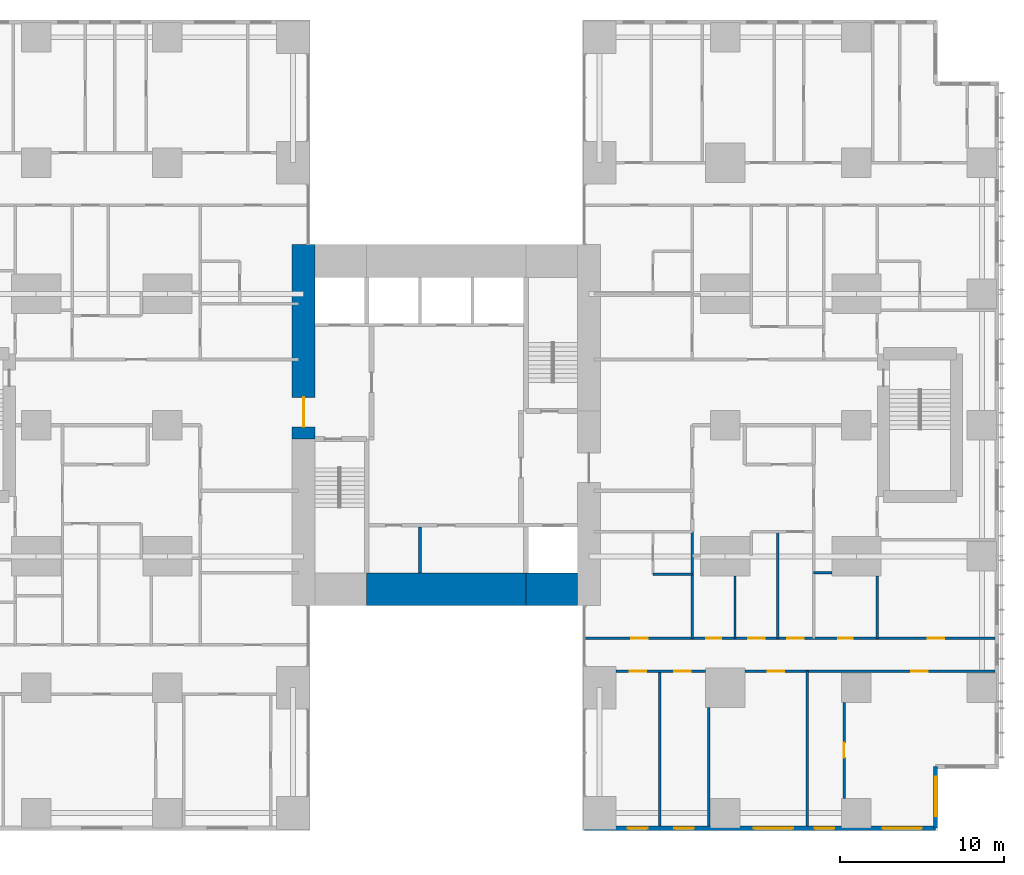
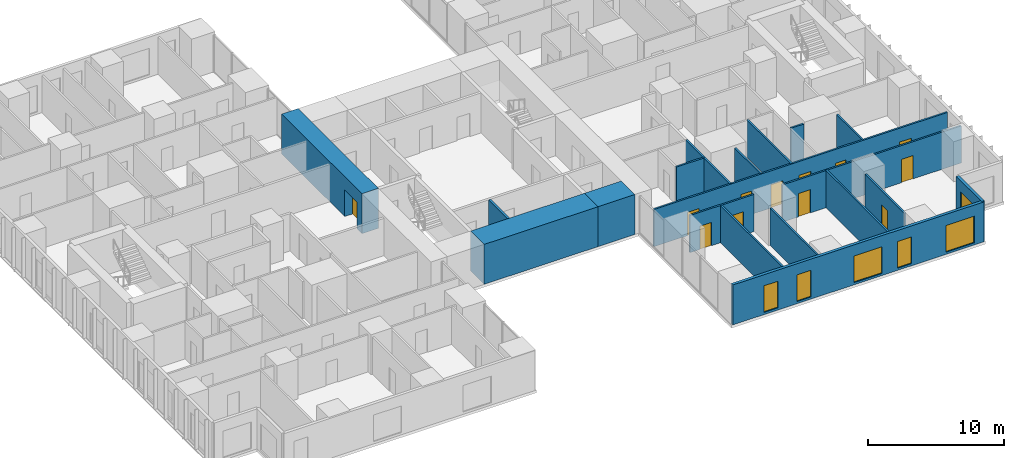
# One storey, part 14 of 20: 19 walls, 12 doors, 6 windows, 18 openings.
"""IFC4 building model written with IfcOpenShell, lengths in metres."""

from ifc_helpers import new_model, si_unit, direction, frame, frame_2d, origin, place, context, subcontext, project, spatial, rectangle, extrude, material, layer, layer_set, type_object, element, fill, save


model = new_model("IFC4")

# Units and contexts
model_context = context("Model", 3, precision=1e-05, world=origin(), true_north=direction((0.0, 1.0)))
body_context = subcontext(model_context, "Body", "Model", "MODEL_VIEW")
ifc_project = project(units=[si_unit("LENGTHUNIT", "METRE"), si_unit("AREAUNIT", "SQUARE_METRE"), si_unit("VOLUMEUNIT", "CUBIC_METRE"), si_unit("PLANEANGLEUNIT", "RADIAN"), si_unit("MASSUNIT", "GRAM", prefix="KILO")], contexts=[model_context])

# Site, building, storey
site_placement = place(None, origin())
site = spatial("IfcSite", under=ifc_project, at=site_placement, CompositionType="ELEMENT")
building_placement = place(site_placement, origin())
building = spatial("IfcBuilding", under=site, at=building_placement, Name="Cleftline Residences", CompositionType="ELEMENT")
storey_placement = place(building_placement, frame((0.0, 0.0, 214.60009765625)))
storey = spatial("IfcBuildingStorey", under=building, at=storey_placement, Name="L56", CompositionType="ELEMENT", Elevation=214.60009765625)

# Wall, opening, door
ifc_material_1 = material(Name="Concrete B70", Category="concrete")
ifc_layer_1 = layer(ifc_material_1, 1.39990234375)
ifc_layer_set_1 = layer_set([ifc_layer_1], Name="CORE WALL 1400")
wall_type_1 = type_object("IfcWallType", Name="CORE WALL 1400", PredefinedType="SHEAR", material=ifc_layer_set_1)
wall_1_placement = place(storey_placement, frame((24.300048828125, 23.14990234375, 0.0), z_axis=(0.0, 0.0, 1.0), x_axis=(0.0, 1.0, 0.0)))
wall_1 = element("IfcWall", 1, at=wall_1_placement, inside=storey, type_object=wall_type_1, Name="Core wall W", PredefinedType="SHEAR", context=body_context, shape_type="SweptSolid", body=[
    extrude(rectangle(XDim=11.85009765625, YDim=1.39990234375, at=frame_2d((5.925048828125, 0.0))), origin(), (0.0, 0.0, 1.0), 3.599853515625),
])
opening_1_placement = place(wall_1_placement, frame((0.75, 0.0, 0.0)))
opening_1 = element("IfcOpeningElement", 2, at=opening_1_placement, cuts=wall_1, Name="Opening D7", PredefinedType="OPENING", context=body_context, shape_type="SweptSolid", body=[
    extrude(rectangle(XDim=1.800048828125, YDim=2.39990234375, at=frame_2d((0.89990234375, 1.199951171875))), frame((0.0, 0.7099609375, 0.0), z_axis=(0.0, -1.0, 0.0), x_axis=(1.0, 0.0, 0.0)), (0.0, 0.0, 1.0), 1.419921875),
])
ifc_material_2 = material(Name="Steel", Category="steel")
door_type_1 = type_object("IfcDoorType", Name="WING DOOR 1800X2400", OperationType="DOUBLE_DOOR_DOUBLE_SWING", PredefinedType="DOOR", material=ifc_material_2)
door_1_placement = place(opening_1_placement, origin())
door_1 = element("IfcDoor", 3, at=door_1_placement, inside=storey, type_object=door_type_1, Name="West wing door", OperationType="DOUBLE_DOOR_DOUBLE_SWING", OverallHeight=2.39990234375, OverallWidth=1.800048828125, PredefinedType="DOOR", context=body_context, shape_type="SweptSolid", body=[
    extrude(rectangle(XDim=1.800048828125, YDim=2.39990234375, at=frame_2d((0.89990234375, 1.199951171875))), frame((0.0, 0.02490234375, 0.0), z_axis=(0.0, -1.0, 0.0), x_axis=(1.0, 0.0, 0.0)), (0.0, 0.0, 1.0), 0.050048828125),
])
fill(opening_1, door_1)

# Walls
ifc_material_3 = material(Name="Concrete B70", Category="concrete")
ifc_layer_2 = layer(ifc_material_3, 2.0)
ifc_layer_set_2 = layer_set([ifc_layer_2], Name="CORE WALL 2000")
wall_type_2 = type_object("IfcWallType", Name="CORE WALL 2000", PredefinedType="SHEAR", material=ifc_layer_set_2)
wall_2_placement = place(storey_placement, frame((28.14990234375, 14.0, 0.0), z_axis=(0.0, 0.0, 1.0), x_axis=(1.0, 0.0, 0.0)))
element("IfcWall", 4, at=wall_2_placement, inside=storey, type_object=wall_type_2, Name="Core wall S2", PredefinedType="SHEAR", context=body_context, shape_type="SweptSolid", body=[
    extrude(rectangle(XDim=9.7001953125, YDim=2.0, at=frame_2d((4.85009765625, 0.0))), origin(), (0.0, 0.0, 1.0), 3.599853515625),
])
wall_3_placement = place(storey_placement, frame((37.85009765625, 14.0, 0.0), z_axis=(0.0, 0.0, 1.0), x_axis=(1.0, 0.0, 0.0)))
element("IfcWall", 5, at=wall_3_placement, inside=storey, type_object=wall_type_2, Name="Core wall S3", PredefinedType="SHEAR", context=body_context, shape_type="SweptSolid", body=[
    extrude(rectangle(XDim=3.14990234375, YDim=2.0, at=frame_2d((1.574951171875, 0.0))), origin(), (0.0, 0.0, 1.0), 3.599853515625),
])

# Wall, openings, windows
ifc_material_4 = material(Name="Rendered reinforced concrete blockwork", Category="masonry")
ifc_layer_3 = layer(ifc_material_4, 0.25)
ifc_layer_set_3 = layer_set([ifc_layer_3], Name="EXTERNAL WALL 250")
wall_type_3 = type_object("IfcWallType", Name="EXTERNAL WALL 250", PredefinedType="SOLIDWALL", material=ifc_layer_set_3)
wall_4_placement = place(storey_placement, frame((41.425048828125, -0.574951171875, 0.0), z_axis=(0.0, 0.0, 1.0), x_axis=(1.0, 0.0, 0.0)))
wall_4 = element("IfcWall", 6, at=wall_4_placement, inside=storey, type_object=wall_type_3, Name="External wall", PredefinedType="SOLIDWALL", context=body_context, shape_type="SweptSolid", body=[
    extrude(rectangle(XDim=21.39990234375, YDim=0.25, at=frame_2d((10.699951171875, 0.0))), origin(), (0.0, 0.0, 1.0), 3.599853515625),
])
opening_2_placement = place(wall_4_placement, frame((2.64990234375, 0.0, 0.199951171875)))
opening_2 = element("IfcOpeningElement", 7, at=opening_2_placement, cuts=wall_4, Name="Opening W13", PredefinedType="OPENING", context=body_context, shape_type="SweptSolid", body=[
    extrude(rectangle(XDim=1.199951171875, YDim=2.39990234375, at=frame_2d((0.60009765625, 1.199951171875))), frame((0.0, 0.135009765625, 0.0), z_axis=(0.0, -1.0, 0.0), x_axis=(1.0, 0.0, 0.0)), (0.0, 0.0, 1.0), 0.27001953125),
])
opening_3_placement = place(wall_4_placement, frame((5.47509765625, 0.0, 0.199951171875)))
opening_3 = element("IfcOpeningElement", 8, at=opening_3_placement, cuts=wall_4, Name="Opening W13", PredefinedType="OPENING", context=body_context, shape_type="SweptSolid", body=[
    extrude(rectangle(XDim=1.199951171875, YDim=2.39990234375, at=frame_2d((0.60009765625, 1.199951171875))), frame((0.0, 0.135009765625, 0.0), z_axis=(0.0, -1.0, 0.0), x_axis=(1.0, 0.0, 0.0)), (0.0, 0.0, 1.0), 0.27001953125),
])
opening_4_placement = place(wall_4_placement, frame((10.324951171875, 0.0, 0.199951171875)))
opening_4 = element("IfcOpeningElement", 9, at=opening_4_placement, cuts=wall_4, Name="Opening W9", PredefinedType="OPENING", context=body_context, shape_type="SweptSolid", body=[
    extrude(rectangle(XDim=2.39990234375, YDim=2.39990234375, at=frame_2d((1.199951171875, 1.199951171875))), frame((0.0, 0.135009765625, 0.0), z_axis=(0.0, -1.0, 0.0), x_axis=(1.0, 0.0, 0.0)), (0.0, 0.0, 1.0), 0.27001953125),
])
opening_5_placement = place(wall_4_placement, frame((14.02490234375, 0.0, 0.199951171875)))
opening_5 = element("IfcOpeningElement", 10, at=opening_5_placement, cuts=wall_4, Name="Opening W13", PredefinedType="OPENING", context=body_context, shape_type="SweptSolid", body=[
    extrude(rectangle(XDim=1.199951171875, YDim=2.39990234375, at=frame_2d((0.60009765625, 1.199951171875))), frame((0.0, 0.135009765625, 0.0), z_axis=(0.0, -1.0, 0.0), x_axis=(1.0, 0.0, 0.0)), (0.0, 0.0, 1.0), 0.27001953125),
])
opening_6_placement = place(wall_4_placement, frame((18.175048828125, 0.0, 0.199951171875)))
opening_6 = element("IfcOpeningElement", 11, at=opening_6_placement, cuts=wall_4, Name="Opening W9", PredefinedType="OPENING", context=body_context, shape_type="SweptSolid", body=[
    extrude(rectangle(XDim=2.39990234375, YDim=2.39990234375, at=frame_2d((1.199951171875, 1.199951171875))), frame((0.0, 0.135009765625, 0.0), z_axis=(0.0, -1.0, 0.0), x_axis=(1.0, 0.0, 0.0)), (0.0, 0.0, 1.0), 0.27001953125),
])
ifc_material_5 = material(Name="Aluminium frame, clear double glazing", Category="aluminium")
window_type_1 = type_object("IfcWindowType", Name="WINDOW 1200X2400", PartitioningType="DOUBLE_PANEL_VERTICAL", PredefinedType="WINDOW", material=ifc_material_5)
window_1_placement = place(opening_2_placement, origin())
window_1 = element("IfcWindow", 12, at=window_1_placement, inside=storey, type_object=window_type_1, Name="Window", OverallHeight=2.39990234375, OverallWidth=1.199951171875, PartitioningType="SINGLE_PANEL", PredefinedType="WINDOW", context=body_context, shape_type="SweptSolid", body=[
    extrude(rectangle(XDim=1.199951171875, YDim=2.39990234375, at=frame_2d((0.60009765625, 1.199951171875))), frame((0.0, 0.030029296875, 0.0), z_axis=(0.0, -1.0, 0.0), x_axis=(1.0, 0.0, 0.0)), (0.0, 0.0, 1.0), 0.06005859375),
])
fill(opening_2, window_1)
window_2_placement = place(opening_3_placement, origin())
window_2 = element("IfcWindow", 13, at=window_2_placement, inside=storey, type_object=window_type_1, Name="Window", OverallHeight=2.39990234375, OverallWidth=1.199951171875, PartitioningType="SINGLE_PANEL", PredefinedType="WINDOW", context=body_context, shape_type="SweptSolid", body=[
    extrude(rectangle(XDim=1.199951171875, YDim=2.39990234375, at=frame_2d((0.60009765625, 1.199951171875))), frame((0.0, 0.030029296875, 0.0), z_axis=(0.0, -1.0, 0.0), x_axis=(1.0, 0.0, 0.0)), (0.0, 0.0, 1.0), 0.06005859375),
])
fill(opening_3, window_2)
window_3_placement = place(opening_5_placement, origin())
window_3 = element("IfcWindow", 14, at=window_3_placement, inside=storey, type_object=window_type_1, Name="Window", OverallHeight=2.39990234375, OverallWidth=1.199951171875, PartitioningType="SINGLE_PANEL", PredefinedType="WINDOW", context=body_context, shape_type="SweptSolid", body=[
    extrude(rectangle(XDim=1.199951171875, YDim=2.39990234375, at=frame_2d((0.60009765625, 1.199951171875))), frame((0.0, 0.030029296875, 0.0), z_axis=(0.0, -1.0, 0.0), x_axis=(1.0, 0.0, 0.0)), (0.0, 0.0, 1.0), 0.06005859375),
])
fill(opening_5, window_3)
ifc_material_6 = material(Name="Aluminium frame, clear double glazing", Category="aluminium")
window_type_2 = type_object("IfcWindowType", Name="WINDOW 2400X2400", PartitioningType="DOUBLE_PANEL_VERTICAL", PredefinedType="WINDOW", material=ifc_material_6)
window_4_placement = place(opening_4_placement, origin())
window_4 = element("IfcWindow", 15, at=window_4_placement, inside=storey, type_object=window_type_2, Name="Window", OverallHeight=2.39990234375, OverallWidth=2.39990234375, PartitioningType="SINGLE_PANEL", PredefinedType="WINDOW", context=body_context, shape_type="SweptSolid", body=[
    extrude(rectangle(XDim=2.39990234375, YDim=2.39990234375, at=frame_2d((1.199951171875, 1.199951171875))), frame((0.0, 0.030029296875, 0.0), z_axis=(0.0, -1.0, 0.0), x_axis=(1.0, 0.0, 0.0)), (0.0, 0.0, 1.0), 0.06005859375),
])
fill(opening_4, window_4)
window_5_placement = place(opening_6_placement, origin())
window_5 = element("IfcWindow", 16, at=window_5_placement, inside=storey, type_object=window_type_2, Name="Window", OverallHeight=2.39990234375, OverallWidth=2.39990234375, PartitioningType="SINGLE_PANEL", PredefinedType="WINDOW", context=body_context, shape_type="SweptSolid", body=[
    extrude(rectangle(XDim=2.39990234375, YDim=2.39990234375, at=frame_2d((1.199951171875, 1.199951171875))), frame((0.0, 0.030029296875, 0.0), z_axis=(0.0, -1.0, 0.0), x_axis=(1.0, 0.0, 0.0)), (0.0, 0.0, 1.0), 0.06005859375),
])
fill(opening_6, window_5)

# Wall, opening, window
wall_5_placement = place(storey_placement, frame((62.824951171875, -0.574951171875, 0.0), z_axis=(0.0, 0.0, 1.0), x_axis=(0.0, 1.0, 0.0)))
wall_5 = element("IfcWall", 17, at=wall_5_placement, inside=storey, type_object=wall_type_3, Name="External wall", PredefinedType="SOLIDWALL", context=body_context, shape_type="SweptSolid", body=[
    extrude(rectangle(XDim=3.75, YDim=0.25, at=frame_2d((1.875, 0.0))), origin(), (0.0, 0.0, 1.0), 3.599853515625),
])
opening_7_placement = place(wall_5_placement, frame((0.737548828125, 0.0, 0.199951171875)))
opening_7 = element("IfcOpeningElement", 18, at=opening_7_placement, cuts=wall_5, Name="Opening W9", PredefinedType="OPENING", context=body_context, shape_type="SweptSolid", body=[
    extrude(rectangle(XDim=2.39990234375, YDim=2.39990234375, at=frame_2d((1.199951171875, 1.199951171875))), frame((0.0, 0.135009765625, 0.0), z_axis=(0.0, -1.0, 0.0), x_axis=(1.0, 0.0, 0.0)), (0.0, 0.0, 1.0), 0.27001953125),
])
window_6_placement = place(opening_7_placement, origin())
window_6 = element("IfcWindow", 19, at=window_6_placement, inside=storey, type_object=window_type_2, Name="Window", OverallHeight=2.39990234375, OverallWidth=2.39990234375, PartitioningType="SINGLE_PANEL", PredefinedType="WINDOW", context=body_context, shape_type="SweptSolid", body=[
    extrude(rectangle(XDim=2.39990234375, YDim=2.39990234375, at=frame_2d((1.199951171875, 1.199951171875))), frame((0.0, 0.030029296875, 0.0), z_axis=(0.0, -1.0, 0.0), x_axis=(1.0, 0.0, 0.0)), (0.0, 0.0, 1.0), 0.06005859375),
])
fill(opening_7, window_6)

# Wall, openings, doors
ifc_material_7 = material(Name="Gypsum board on steel studs", Category="steel")
ifc_layer_4 = layer(ifc_material_7, 0.14990234375)
ifc_layer_set_4 = layer_set([ifc_layer_4], Name="PARTITION 150")
wall_type_4 = type_object("IfcWallType", Name="PARTITION 150", PredefinedType="PARTITIONING", material=ifc_layer_set_4)
wall_6_placement = place(storey_placement, frame((43.35009765625, 9.0, 0.0), z_axis=(0.0, 0.0, 1.0), x_axis=(1.0, 0.0, 0.0)))
wall_6 = element("IfcWall", 20, at=wall_6_placement, inside=storey, type_object=wall_type_4, Name="Partition", PredefinedType="PARTITIONING", context=body_context, shape_type="SweptSolid", body=[
    extrude(rectangle(XDim=5.449951171875, YDim=0.14990234375, at=frame_2d((2.72509765625, 0.0))), origin(), (0.0, 0.0, 1.0), 3.349853515625),
])
opening_8_placement = place(wall_6_placement, frame((3.550048828125, 0.0, 0.0)))
opening_8 = element("IfcOpeningElement", 21, at=opening_8_placement, cuts=wall_6, Name="Opening D2", PredefinedType="OPENING", context=body_context, shape_type="SweptSolid", body=[
    extrude(rectangle(XDim=1.0, YDim=2.10009765625, at=frame_2d((0.5, 1.050048828125))), frame((0.0, 0.0849609375, 0.0), z_axis=(0.0, -1.0, 0.0), x_axis=(1.0, 0.0, 0.0)), (0.0, 0.0, 1.0), 0.169921875),
])
opening_9_placement = place(wall_6_placement, frame((0.824951171875, 0.0, 0.0)))
opening_9 = element("IfcOpeningElement", 22, at=opening_9_placement, cuts=wall_6, Name="Opening D2", PredefinedType="OPENING", context=body_context, shape_type="SweptSolid", body=[
    extrude(rectangle(XDim=1.0, YDim=2.10009765625, at=frame_2d((0.5, 1.050048828125))), frame((0.0, 0.0849609375, 0.0), z_axis=(0.0, -1.0, 0.0), x_axis=(1.0, 0.0, 0.0)), (0.0, 0.0, 1.0), 0.169921875),
])
ifc_material_8 = material(Name="Timber veneer on solid core", Category="wood")
door_type_2 = type_object("IfcDoorType", Name="DOOR 1000X2100", OperationType="SINGLE_SWING_LEFT", PredefinedType="DOOR", material=ifc_material_8)
door_2_placement = place(opening_8_placement, origin())
door_2 = element("IfcDoor", 23, at=door_2_placement, inside=storey, type_object=door_type_2, Name="Door to breakfast room", OperationType="SINGLE_SWING_LEFT", OverallHeight=2.10009765625, OverallWidth=1.0, PredefinedType="DOOR", context=body_context, shape_type="SweptSolid", body=[
    extrude(rectangle(XDim=1.0, YDim=2.10009765625, at=frame_2d((0.5, 1.050048828125))), frame((0.0, 0.02490234375, 0.0), z_axis=(0.0, -1.0, 0.0), x_axis=(1.0, 0.0, 0.0)), (0.0, 0.0, 1.0), 0.050048828125),
])
fill(opening_8, door_2)
door_3_placement = place(opening_9_placement, origin())
door_3 = element("IfcDoor", 24, at=door_3_placement, inside=storey, type_object=door_type_2, Name="Door to show kitchen", OperationType="SINGLE_SWING_RIGHT", OverallHeight=2.10009765625, OverallWidth=1.0, PredefinedType="DOOR", context=body_context, shape_type="SweptSolid", body=[
    extrude(rectangle(XDim=1.0, YDim=2.10009765625, at=frame_2d((0.5, 1.050048828125))), frame((0.0, 0.02490234375, 0.0), z_axis=(0.0, -1.0, 0.0), x_axis=(1.0, 0.0, 0.0)), (0.0, 0.0, 1.0), 0.050048828125),
])
fill(opening_9, door_3)

wall_7_placement = place(storey_placement, frame((51.199951171875, 9.0, 0.0), z_axis=(0.0, 0.0, 1.0), x_axis=(1.0, 0.0, 0.0)))
wall_7 = element("IfcWall", 25, at=wall_7_placement, inside=storey, type_object=wall_type_4, Name="Partition", PredefinedType="PARTITIONING", context=body_context, shape_type="SweptSolid", body=[
    extrude(rectangle(XDim=15.25, YDim=0.14990234375, at=frame_2d((7.625, 0.0))), origin(), (0.0, 0.0, 1.0), 3.349853515625),
])
opening_10_placement = place(wall_7_placement, frame((10.14990234375, 0.0, 0.0)))
opening_10 = element("IfcOpeningElement", 26, at=opening_10_placement, cuts=wall_7, Name="Opening D2", PredefinedType="OPENING", context=body_context, shape_type="SweptSolid", body=[
    extrude(rectangle(XDim=1.0, YDim=2.10009765625, at=frame_2d((0.5, 1.050048828125))), frame((0.0, 0.0849609375, 0.0), z_axis=(0.0, -1.0, 0.0), x_axis=(1.0, 0.0, 0.0)), (0.0, 0.0, 1.0), 0.169921875),
])
opening_11_placement = place(wall_7_placement, frame((1.39990234375, 0.0, 0.0)))
opening_11 = element("IfcOpeningElement", 27, at=opening_11_placement, cuts=wall_7, Name="Opening D2", PredefinedType="OPENING", context=body_context, shape_type="SweptSolid", body=[
    extrude(rectangle(XDim=1.0, YDim=2.10009765625, at=frame_2d((0.5, 1.050048828125))), frame((0.0, 0.0849609375, 0.0), z_axis=(0.0, -1.0, 0.0), x_axis=(1.0, 0.0, 0.0)), (0.0, 0.0, 1.0), 0.169921875),
])
door_4_placement = place(opening_10_placement, origin())
door_4 = element("IfcDoor", 28, at=door_4_placement, inside=storey, type_object=door_type_2, Name="Door to sea-view living room", OperationType="SINGLE_SWING_LEFT", OverallHeight=2.10009765625, OverallWidth=1.0, PredefinedType="DOOR", context=body_context, shape_type="SweptSolid", body=[
    extrude(rectangle(XDim=1.0, YDim=2.10009765625, at=frame_2d((0.5, 1.050048828125))), frame((0.0, 0.02490234375, 0.0), z_axis=(0.0, -1.0, 0.0), x_axis=(1.0, 0.0, 0.0)), (0.0, 0.0, 1.0), 0.050048828125),
])
fill(opening_10, door_4)
door_5_placement = place(opening_11_placement, origin())
door_5 = element("IfcDoor", 29, at=door_5_placement, inside=storey, type_object=door_type_2, Name="Door to dining room", OperationType="SINGLE_SWING_RIGHT", OverallHeight=2.10009765625, OverallWidth=1.0, PredefinedType="DOOR", context=body_context, shape_type="SweptSolid", body=[
    extrude(rectangle(XDim=1.0, YDim=2.10009765625, at=frame_2d((0.5, 1.050048828125))), frame((0.0, 0.02490234375, 0.0), z_axis=(0.0, -1.0, 0.0), x_axis=(1.0, 0.0, 0.0)), (0.0, 0.0, 1.0), 0.050048828125),
])
fill(opening_11, door_5)

wall_8_placement = place(storey_placement, frame((41.43896484375, 11.0, 0.0), z_axis=(0.0, 0.0, 1.0), x_axis=(1.0, 0.0, 0.0)))
wall_8 = element("IfcWall", 30, at=wall_8_placement, inside=storey, type_object=wall_type_4, Name="Partition", PredefinedType="PARTITIONING", context=body_context, shape_type="SweptSolid", body=[
    extrude(rectangle(XDim=25.010986328125, YDim=0.14990234375, at=frame_2d((12.50537109375, 0.0))), origin(), (0.0, 0.0, 1.0), 3.349853515625),
])
opening_12_placement = place(wall_8_placement, frame((12.361083984375, 0.0, 0.0)))
opening_12 = element("IfcOpeningElement", 31, at=opening_12_placement, cuts=wall_8, Name="Opening D2F30", PredefinedType="OPENING", context=body_context, shape_type="SweptSolid", body=[
    extrude(rectangle(XDim=1.0, YDim=2.10009765625, at=frame_2d((0.5, 1.050048828125))), frame((0.0, 0.0849609375, 0.0), z_axis=(0.0, -1.0, 0.0), x_axis=(1.0, 0.0, 0.0)), (0.0, 0.0, 1.0), 0.169921875),
])
opening_13_placement = place(wall_8_placement, frame((20.923583984375, 0.0, 0.0)))
opening_13 = element("IfcOpeningElement", 32, at=opening_13_placement, cuts=wall_8, Name="Opening D2F30", PredefinedType="OPENING", context=body_context, shape_type="SweptSolid", body=[
    extrude(rectangle(XDim=1.0, YDim=2.10009765625, at=frame_2d((0.5, 1.050048828125))), frame((0.0, 0.0849609375, 0.0), z_axis=(0.0, -1.0, 0.0), x_axis=(1.0, 0.0, 0.0)), (0.0, 0.0, 1.0), 0.169921875),
])
opening_14_placement = place(wall_8_placement, frame((15.448486328125, 0.0, 0.0)))
opening_14 = element("IfcOpeningElement", 33, at=opening_14_placement, cuts=wall_8, Name="Opening D1F30", PredefinedType="OPENING", context=body_context, shape_type="SweptSolid", body=[
    extrude(rectangle(XDim=0.89990234375, YDim=2.10009765625, at=frame_2d((0.449951171875, 1.050048828125))), frame((0.0, 0.0849609375, 0.0), z_axis=(0.0, -1.0, 0.0), x_axis=(1.0, 0.0, 0.0)), (0.0, 0.0, 1.0), 0.169921875),
])
opening_15_placement = place(wall_8_placement, frame((9.9609375, 0.0, 0.0)))
opening_15 = element("IfcOpeningElement", 34, at=opening_15_placement, cuts=wall_8, Name="Opening D2F30", PredefinedType="OPENING", context=body_context, shape_type="SweptSolid", body=[
    extrude(rectangle(XDim=1.0, YDim=2.10009765625, at=frame_2d((0.5, 1.050048828125))), frame((0.0, 0.0849609375, 0.0), z_axis=(0.0, -1.0, 0.0), x_axis=(1.0, 0.0, 0.0)), (0.0, 0.0, 1.0), 0.169921875),
])
opening_16_placement = place(wall_8_placement, frame((7.410888671875, 0.0, 0.0)))
opening_16 = element("IfcOpeningElement", 35, at=opening_16_placement, cuts=wall_8, Name="Opening D1F30", PredefinedType="OPENING", context=body_context, shape_type="SweptSolid", body=[
    extrude(rectangle(XDim=0.89990234375, YDim=2.10009765625, at=frame_2d((0.449951171875, 1.050048828125))), frame((0.0, 0.0849609375, 0.0), z_axis=(0.0, -1.0, 0.0), x_axis=(1.0, 0.0, 0.0)), (0.0, 0.0, 1.0), 0.169921875),
])
opening_17_placement = place(wall_8_placement, frame((2.8359375, 0.0, 0.0)))
opening_17 = element("IfcOpeningElement", 36, at=opening_17_placement, cuts=wall_8, Name="Opening D2F30", PredefinedType="OPENING", context=body_context, shape_type="SweptSolid", body=[
    extrude(rectangle(XDim=1.0, YDim=2.10009765625, at=frame_2d((0.5, 1.050048828125))), frame((0.0, 0.0849609375, 0.0), z_axis=(0.0, -1.0, 0.0), x_axis=(1.0, 0.0, 0.0)), (0.0, 0.0, 1.0), 0.169921875),
])
ifc_material_9 = material(Name="Timber veneer on solid core", Category="wood")
door_type_3 = type_object("IfcDoorType", Name="DOOR 1000X2100 EI 30", OperationType="SINGLE_SWING_LEFT", PredefinedType="DOOR", material=ifc_material_9)
door_6_placement = place(opening_12_placement, origin())
door_6 = element("IfcDoor", 37, at=door_6_placement, inside=storey, type_object=door_type_3, Name="Door to residence hall (gallery)", OperationType="SINGLE_SWING_LEFT", OverallHeight=2.10009765625, OverallWidth=1.0, PredefinedType="DOOR", context=body_context, shape_type="SweptSolid", body=[
    extrude(rectangle(XDim=1.0, YDim=2.10009765625, at=frame_2d((0.5, 1.050048828125))), frame((0.0, 0.02490234375, 0.0), z_axis=(0.0, -1.0, 0.0), x_axis=(1.0, 0.0, 0.0)), (0.0, 0.0, 1.0), 0.050048828125),
])
fill(opening_12, door_6)
door_7_placement = place(opening_13_placement, origin())
door_7 = element("IfcDoor", 38, at=door_7_placement, inside=storey, type_object=door_type_3, Name="Door to altar room", OperationType="SINGLE_SWING_LEFT", OverallHeight=2.10009765625, OverallWidth=1.0, PredefinedType="DOOR", context=body_context, shape_type="SweptSolid", body=[
    extrude(rectangle(XDim=1.0, YDim=2.10009765625, at=frame_2d((0.5, 1.050048828125))), frame((0.0, 0.02490234375, 0.0), z_axis=(0.0, -1.0, 0.0), x_axis=(1.0, 0.0, 0.0)), (0.0, 0.0, 1.0), 0.050048828125),
])
fill(opening_13, door_7)
door_8_placement = place(opening_15_placement, origin())
door_8 = element("IfcDoor", 39, at=door_8_placement, inside=storey, type_object=door_type_3, Name="Door to wet kitchen", OperationType="SINGLE_SWING_RIGHT", OverallHeight=2.10009765625, OverallWidth=1.0, PredefinedType="DOOR", context=body_context, shape_type="SweptSolid", body=[
    extrude(rectangle(XDim=1.0, YDim=2.10009765625, at=frame_2d((0.5, 1.050048828125))), frame((0.0, 0.02490234375, 0.0), z_axis=(0.0, -1.0, 0.0), x_axis=(1.0, 0.0, 0.0)), (0.0, 0.0, 1.0), 0.050048828125),
])
fill(opening_15, door_8)
door_9_placement = place(opening_17_placement, origin())
door_9 = element("IfcDoor", 40, at=door_9_placement, inside=storey, type_object=door_type_3, Name="Door to staff bedroom", OperationType="SINGLE_SWING_RIGHT", OverallHeight=2.10009765625, OverallWidth=1.0, PredefinedType="DOOR", context=body_context, shape_type="SweptSolid", body=[
    extrude(rectangle(XDim=1.0, YDim=2.10009765625, at=frame_2d((0.5, 1.050048828125))), frame((0.0, 0.02490234375, 0.0), z_axis=(0.0, -1.0, 0.0), x_axis=(1.0, 0.0, 0.0)), (0.0, 0.0, 1.0), 0.050048828125),
])
fill(opening_17, door_9)
ifc_material_10 = material(Name="Timber veneer on solid core", Category="wood")
door_type_4 = type_object("IfcDoorType", Name="DOOR 900X2100 EI 30", OperationType="SINGLE_SWING_LEFT", PredefinedType="DOOR", material=ifc_material_10)
door_10_placement = place(opening_14_placement, origin())
door_10 = element("IfcDoor", 41, at=door_10_placement, inside=storey, type_object=door_type_4, Name="Door to store room", OperationType="SINGLE_SWING_LEFT", OverallHeight=2.10009765625, OverallWidth=0.89990234375, PredefinedType="DOOR", context=body_context, shape_type="SweptSolid", body=[
    extrude(rectangle(XDim=0.89990234375, YDim=2.10009765625, at=frame_2d((0.449951171875, 1.050048828125))), frame((0.0, 0.02490234375, 0.0), z_axis=(0.0, -1.0, 0.0), x_axis=(1.0, 0.0, 0.0)), (0.0, 0.0, 1.0), 0.050048828125),
])
fill(opening_14, door_10)
door_11_placement = place(opening_16_placement, origin())
door_11 = element("IfcDoor", 42, at=door_11_placement, inside=storey, type_object=door_type_4, Name="Door to pantry", OperationType="SINGLE_SWING_RIGHT", OverallHeight=2.10009765625, OverallWidth=0.89990234375, PredefinedType="DOOR", context=body_context, shape_type="SweptSolid", body=[
    extrude(rectangle(XDim=0.89990234375, YDim=2.10009765625, at=frame_2d((0.449951171875, 1.050048828125))), frame((0.0, 0.02490234375, 0.0), z_axis=(0.0, -1.0, 0.0), x_axis=(1.0, 0.0, 0.0)), (0.0, 0.0, 1.0), 0.050048828125),
])
fill(opening_16, door_11)

# Walls
wall_9_placement = place(storey_placement, frame((45.60009765625, 14.89990234375, 0.0), z_axis=(0.0, 0.0, 1.0), x_axis=(1.0, 0.0, 0.0)))
element("IfcWall", 43, at=wall_9_placement, inside=storey, type_object=wall_type_4, Name="Partition", PredefinedType="PARTITIONING", context=body_context, shape_type="SweptSolid", body=[
    extrude(rectangle(XDim=2.39990234375, YDim=0.14990234375, at=frame_2d((1.199951171875, 0.0))), origin(), (0.0, 0.0, 1.0), 3.349853515625),
])
wall_10_placement = place(storey_placement, frame((55.39990234375, 15.0, 0.0), z_axis=(0.0, 0.0, 1.0), x_axis=(1.0, 0.0, 0.0)))
element("IfcWall", 44, at=wall_10_placement, inside=storey, type_object=wall_type_4, Name="Partition", PredefinedType="PARTITIONING", context=body_context, shape_type="SweptSolid", body=[
    extrude(rectangle(XDim=1.10009765625, YDim=0.14990234375, at=frame_2d((0.550048828125, 0.0))), origin(), (0.0, 0.0, 1.0), 3.349853515625),
])
wall_11_placement = place(storey_placement, frame((46.0, -0.449951171875, 0.0), z_axis=(0.0, 0.0, 1.0), x_axis=(0.0, 1.0, 0.0)))
element("IfcWall", 45, at=wall_11_placement, inside=storey, type_object=wall_type_4, Name="Partition", PredefinedType="PARTITIONING", context=body_context, shape_type="SweptSolid", body=[
    extrude(rectangle(XDim=9.449951171875, YDim=0.14990234375, at=frame_2d((4.72509765625, 0.0))), origin(), (0.0, 0.0, 1.0), 3.349853515625),
])
wall_12_placement = place(storey_placement, frame((48.0, 11.0, 0.0), z_axis=(0.0, 0.0, 1.0), x_axis=(0.0, 1.0, 0.0)))
element("IfcWall", 46, at=wall_12_placement, inside=storey, type_object=wall_type_4, Name="Partition", PredefinedType="PARTITIONING", context=body_context, shape_type="SweptSolid", body=[
    extrude(rectangle(XDim=6.5, YDim=0.14990234375, at=frame_2d((3.25, 0.0))), origin(), (0.0, 0.0, 1.0), 3.349853515625),
])
wall_13_placement = place(storey_placement, frame((49.0, -0.449951171875, 0.0), z_axis=(0.0, 0.0, 1.0), x_axis=(0.0, 1.0, 0.0)))
element("IfcWall", 47, at=wall_13_placement, inside=storey, type_object=wall_type_4, Name="Partition", PredefinedType="PARTITIONING", context=body_context, shape_type="SweptSolid", body=[
    extrude(rectangle(XDim=7.25, YDim=0.14990234375, at=frame_2d((3.625, 0.0))), origin(), (0.0, 0.0, 1.0), 3.349853515625),
])
wall_14_placement = place(storey_placement, frame((50.60009765625, 11.0, 0.0), z_axis=(0.0, 0.0, 1.0), x_axis=(0.0, 1.0, 0.0)))
element("IfcWall", 48, at=wall_14_placement, inside=storey, type_object=wall_type_4, Name="Partition", PredefinedType="PARTITIONING", context=body_context, shape_type="SweptSolid", body=[
    extrude(rectangle(XDim=3.800048828125, YDim=0.14990234375, at=frame_2d((1.89990234375, 0.0))), origin(), (0.0, 0.0, 1.0), 3.349853515625),
])
wall_15_placement = place(storey_placement, frame((53.199951171875, 11.0, 0.0), z_axis=(0.0, 0.0, 1.0), x_axis=(0.0, 1.0, 0.0)))
element("IfcWall", 49, at=wall_15_placement, inside=storey, type_object=wall_type_4, Name="Partition", PredefinedType="PARTITIONING", context=body_context, shape_type="SweptSolid", body=[
    extrude(rectangle(XDim=6.5, YDim=0.14990234375, at=frame_2d((3.25, 0.0))), origin(), (0.0, 0.0, 1.0), 3.349853515625),
])
wall_16_placement = place(storey_placement, frame((55.0, -0.449951171875, 0.0), z_axis=(0.0, 0.0, 1.0), x_axis=(0.0, 1.0, 0.0)))
element("IfcWall", 50, at=wall_16_placement, inside=storey, type_object=wall_type_4, Name="Partition", PredefinedType="PARTITIONING", context=body_context, shape_type="SweptSolid", body=[
    extrude(rectangle(XDim=9.449951171875, YDim=0.14990234375, at=frame_2d((4.72509765625, 0.0))), origin(), (0.0, 0.0, 1.0), 3.349853515625),
])

# Wall, opening, door
wall_17_placement = place(storey_placement, frame((57.25, 1.25, 0.0), z_axis=(0.0, 0.0, 1.0), x_axis=(0.0, 1.0, 0.0)))
wall_17 = element("IfcWall", 51, at=wall_17_placement, inside=storey, type_object=wall_type_4, Name="Partition", PredefinedType="PARTITIONING", context=body_context, shape_type="SweptSolid", body=[
    extrude(rectangle(XDim=5.85009765625, YDim=0.14990234375, at=frame_2d((2.925048828125, 0.0))), origin(), (0.0, 0.0, 1.0), 3.349853515625),
])
opening_18_placement = place(wall_17_placement, frame((2.47509765625, 0.0, 0.0)))
opening_18 = element("IfcOpeningElement", 52, at=opening_18_placement, cuts=wall_17, Name="Opening D1", PredefinedType="OPENING", context=body_context, shape_type="SweptSolid", body=[
    extrude(rectangle(XDim=0.89990234375, YDim=2.10009765625, at=frame_2d((0.449951171875, 1.050048828125))), frame((0.0, 0.0849609375, 0.0), z_axis=(0.0, -1.0, 0.0), x_axis=(1.0, 0.0, 0.0)), (0.0, 0.0, 1.0), 0.169921875),
])
ifc_material_11 = material(Name="Timber veneer on solid core", Category="wood")
door_type_5 = type_object("IfcDoorType", Name="DOOR 900X2100", OperationType="SINGLE_SWING_LEFT", PredefinedType="DOOR", material=ifc_material_11)
door_12_placement = place(opening_18_placement, origin())
door_12 = element("IfcDoor", 53, at=door_12_placement, inside=storey, type_object=door_type_5, Name="Door to store room", OperationType="SINGLE_SWING_LEFT", OverallHeight=2.10009765625, OverallWidth=0.89990234375, PredefinedType="DOOR", context=body_context, shape_type="SweptSolid", body=[
    extrude(rectangle(XDim=0.89990234375, YDim=2.10009765625, at=frame_2d((0.449951171875, 1.050048828125))), frame((0.0, 0.02490234375, 0.0), z_axis=(0.0, -1.0, 0.0), x_axis=(1.0, 0.0, 0.0)), (0.0, 0.0, 1.0), 0.050048828125),
])
fill(opening_18, door_12)

# Walls
wall_18_placement = place(storey_placement, frame((59.27490234375, 11.0, 0.0), z_axis=(0.0, 0.0, 1.0), x_axis=(0.0, 1.0, 0.0)))
element("IfcWall", 54, at=wall_18_placement, inside=storey, type_object=wall_type_4, Name="Partition", PredefinedType="PARTITIONING", context=body_context, shape_type="SweptSolid", body=[
    extrude(rectangle(XDim=3.800048828125, YDim=0.14990234375, at=frame_2d((1.89990234375, 0.0))), origin(), (0.0, 0.0, 1.0), 3.349853515625),
])
ifc_material_12 = material(Name="Concrete blockwork, fire rated", Category="masonry")
ifc_layer_5 = layer(ifc_material_12, 0.199951171875)
ifc_layer_set_5 = layer_set([ifc_layer_5], Name="SHAFT WALL 200")
wall_type_5 = type_object("IfcWallType", Name="SHAFT WALL 200", PredefinedType="PARTITIONING", material=ifc_layer_set_5)
wall_19_placement = place(storey_placement, frame((31.39990234375, 15.0, 0.0), z_axis=(0.0, 0.0, 1.0), x_axis=(0.0, 1.0, 0.0)))
element("IfcWall", 55, at=wall_19_placement, inside=storey, type_object=wall_type_5, Name="Core room wall", PredefinedType="PARTITIONING", context=body_context, shape_type="SweptSolid", body=[
    extrude(rectangle(XDim=2.800048828125, YDim=0.199951171875, at=frame_2d((1.39990234375, 0.0))), origin(), (0.0, 0.0, 1.0), 3.599853515625),
])

save(model, "model.ifc")
